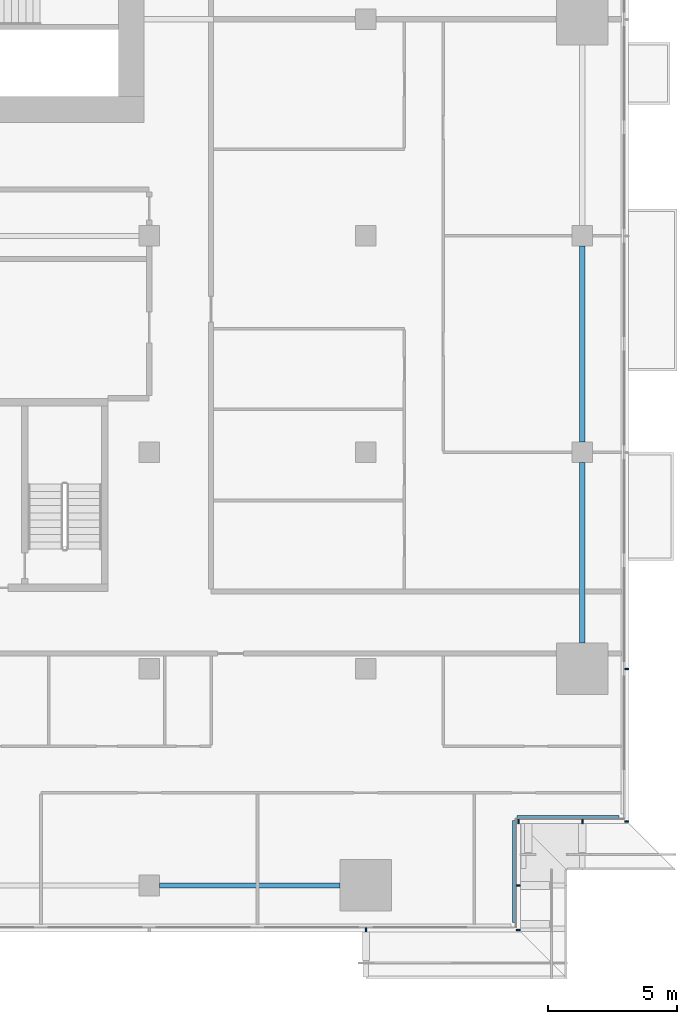
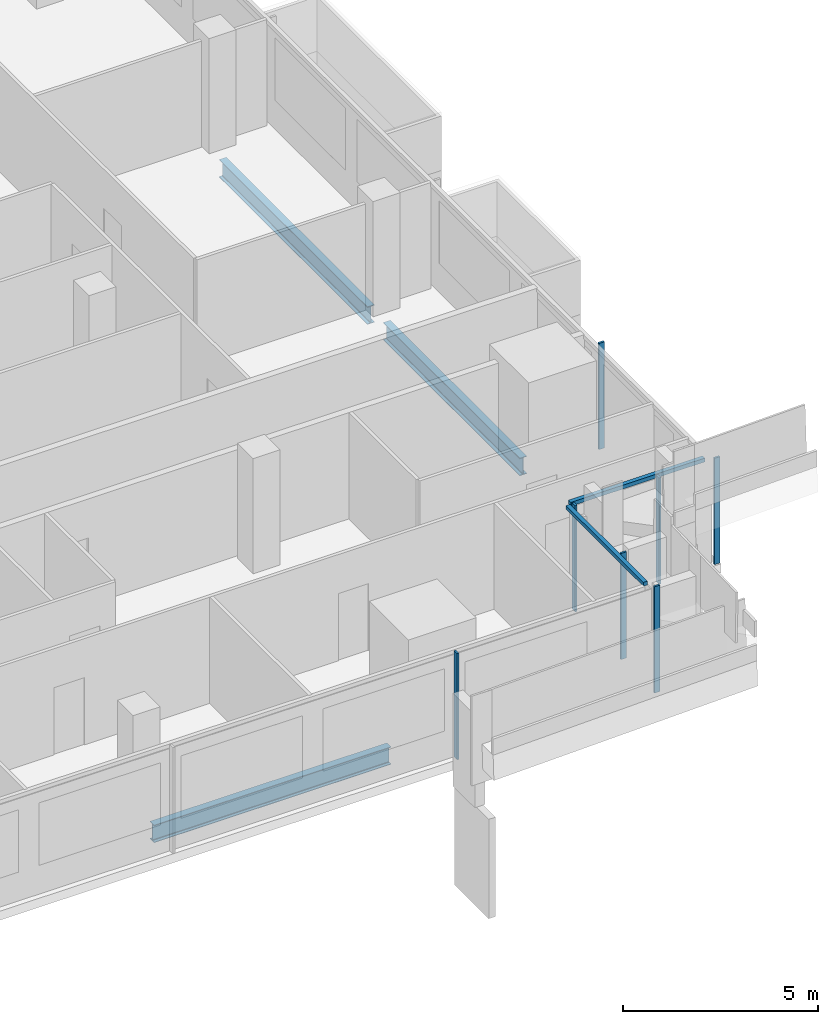
# One storey, part 11 of 29: 9 members, 3 beams, 4 elements without a shape of their own.
"""IFC4 building model written with IfcOpenShell, lengths in metres."""

from ifc_helpers import new_model, si_unit, direction, frame, origin, origin_2d, place, context, subcontext, project, spatial, rectangle, i_section, extrude, material, material_profile, profile_set, type_object, element, aggregate, save


model = new_model("IFC4")

# Units and contexts
model_context = context("Model", 3, precision=1e-05, world=origin(), true_north=direction((0.0, 1.0)))
body_context = subcontext(model_context, "Body", "Model", "MODEL_VIEW")
ifc_project = project(units=[si_unit("LENGTHUNIT", "METRE"), si_unit("AREAUNIT", "SQUARE_METRE"), si_unit("VOLUMEUNIT", "CUBIC_METRE"), si_unit("PLANEANGLEUNIT", "RADIAN"), si_unit("MASSUNIT", "GRAM", prefix="KILO")], contexts=[model_context])

# Site, building, storey
site_placement = place(None, origin())
site = spatial("IfcSite", under=ifc_project, at=site_placement, CompositionType="ELEMENT")
building_placement = place(site_placement, origin())
building = spatial("IfcBuilding", under=site, at=building_placement, Name="Saffron Gate Tower", CompositionType="ELEMENT")
storey_placement = place(building_placement, frame((0.0, 0.0, 106.050048828125)))
storey = spatial("IfcBuildingStorey", under=building, at=storey_placement, Name="L24", CompositionType="ELEMENT", Elevation=106.050048828125)

# Beams
ifc_material_1 = material(Name="Structural steel S355", Category="steel")
ifc_material_profile_1 = material_profile(ifc_material_1, i_section(OverallWidth=0.2099609375, OverallDepth=0.550048828125, WebThickness=0.010986328125, FlangeThickness=0.01708984375, FilletRadius=0.02392578125, at=origin_2d()))
ifc_profile_set_1 = profile_set([ifc_material_profile_1], Name="Structural steel S355")
beam_type = type_object("IfcBeamType", Name="B13 IPE 550", PredefinedType="SPANDREL", material=ifc_profile_set_1)
for number, where, z_axis, x_axis, name in (
    (1, (109.0, 31.800048828125, -0.554931640625), (1.0, 0.0, 0.0), (0.0, 1.0, 0.0), "B13 SPANDREL BEAM"),
    (2, (125.39990234375, 41.199951171875, -0.554931640625), (0.0, 1.0, 0.0), (-1.0, 0.0, 0.0), "B13 SPANDREL BEAM"),
):
    element("IfcBeam", number, at=place(storey_placement, frame(where, z_axis=z_axis, x_axis=x_axis)), inside=storey, type_object=beam_type, Name=name, PredefinedType="SPANDREL", context=body_context, shape_type="SweptSolid", body=[
        extrude(i_section(OverallWidth=0.2099609375, OverallDepth=0.550048828125, WebThickness=0.010986328125, FlangeThickness=0.01708984375, FilletRadius=0.02392578125, at=origin_2d()), origin(), (0.0, 0.0, 1.0), 7.0),
    ])
beam_placement = place(storey_placement, frame((125.39990234375, 49.0, -0.554931640625), z_axis=(0.0, 1.0, 0.0), x_axis=(-1.0, 0.0, 0.0)))
element("IfcBeam", 3, at=beam_placement, inside=storey, type_object=beam_type, Name="B13 SPANDREL BEAM", PredefinedType="SPANDREL", context=body_context, shape_type="SweptSolid", body=[
    extrude(i_section(OverallWidth=0.2099609375, OverallDepth=0.550048828125, WebThickness=0.010986328125, FlangeThickness=0.01708984375, FilletRadius=0.02392578125, at=origin_2d()), origin(), (0.0, 0.0, 1.0), 7.60009765625),
])

# Curtain wall, member
ifc_material_2 = material(Name="Aluminium, bronze anodised", Category="aluminium")
curtain_wall_type_1 = type_object("IfcCurtainWallType", Name="CWS1 curtain wall front facade", PredefinedType="NOTDEFINED", material=ifc_material_2)
curtain_wall_1_placement = place(storey_placement, origin())
curtain_wall_1 = element("IfcCurtainWall", 4, at=curtain_wall_1_placement, inside=storey, type_object=curtain_wall_type_1, Name="CWS1 run 1", PredefinedType="NOTDEFINED")
ifc_material_profile_2 = material_profile(ifc_material_2, rectangle(XDim=0.159912109375, YDim=0.06005859375, at=origin_2d()))
ifc_profile_set_2 = profile_set([ifc_material_profile_2], Name="Aluminium, bronze anodised")
member_type_1 = type_object("IfcMemberType", Name="CWS1 mullion 60x160", PredefinedType="MULLION", material=ifc_profile_set_2)
member_1_placement = place(storey_placement, frame((117.0, 30.080078125, 0.0), z_axis=(0.0, 0.0, 1.0), x_axis=(0.0, 1.0, 0.0)))
member_1 = element("IfcMember", 5, at=member_1_placement, type_object=member_type_1, Name="CWS1 mullion 9", PredefinedType="MULLION", context=body_context, shape_type="SweptSolid", body=[
    extrude(rectangle(XDim=0.159912109375, YDim=0.06005859375, at=origin_2d()), origin(), (0.0, 0.0, 1.0), 3.320068359375),
])
aggregate(curtain_wall_1, [member_1])

# Curtain wall, members
curtain_wall_type_2 = type_object("IfcCurtainWallType", Name="CWS2 curtain wall side facades", PredefinedType="NOTDEFINED", material=ifc_material_2)
curtain_wall_2_placement = place(storey_placement, origin())
curtain_wall_2 = element("IfcCurtainWall", 6, at=curtain_wall_2_placement, inside=storey, type_object=curtain_wall_type_2, Name="CWS2 run 4", PredefinedType="NOTDEFINED")
ifc_material_profile_3 = material_profile(ifc_material_2, rectangle(XDim=0.159912109375, YDim=0.06005859375, at=origin_2d()))
ifc_profile_set_3 = profile_set([ifc_material_profile_3], Name="Aluminium, bronze anodised")
member_type_2 = type_object("IfcMemberType", Name="CWS2 mullion 60x160", PredefinedType="MULLION", material=ifc_profile_set_3)
member_2_placement = place(storey_placement, frame((127.1201171875, 34.280029296875, 0.0), z_axis=(0.0, 0.0, 1.0), x_axis=(-1.0, 0.0, 0.0)))
member_2 = element("IfcMember", 7, at=member_2_placement, type_object=member_type_2, Name="CWS2 mullion 1", PredefinedType="MULLION", context=body_context, shape_type="SweptSolid", body=[
    extrude(rectangle(XDim=0.159912109375, YDim=0.06005859375, at=origin_2d()), origin(), (0.0, 0.0, 1.0), 3.320068359375),
])
member_3_placement = place(storey_placement, frame((127.1201171875, 40.199951171875, 0.0), z_axis=(0.0, 0.0, 1.0), x_axis=(-1.0, 0.0, 0.0)))
member_3 = element("IfcMember", 8, at=member_3_placement, type_object=member_type_2, Name="CWS2 mullion 2", PredefinedType="MULLION", context=body_context, shape_type="SweptSolid", body=[
    extrude(rectangle(XDim=0.159912109375, YDim=0.06005859375, at=origin_2d()), origin(), (0.0, 0.0, 1.0), 3.320068359375),
])
aggregate(curtain_wall_2, [member_2, member_3])

# Curtain wall, member
curtain_wall_type_3 = type_object("IfcCurtainWallType", Name="CWS4 curtain wall corner returns", PredefinedType="NOTDEFINED", material=ifc_material_2)
curtain_wall_3_placement = place(storey_placement, origin())
curtain_wall_3 = element("IfcCurtainWall", 9, at=curtain_wall_3_placement, inside=storey, type_object=curtain_wall_type_3, Name="CWS4 run 2", PredefinedType="NOTDEFINED")
ifc_material_profile_4 = material_profile(ifc_material_2, rectangle(XDim=0.1201171875, YDim=0.1201171875, at=origin_2d()))
ifc_profile_set_4 = profile_set([ifc_material_profile_4], Name="Aluminium, bronze anodised")
member_type_3 = type_object("IfcMemberType", Name="CWS4 head transom", PredefinedType="USERDEFINED", material=ifc_profile_set_4)
member_4_placement = place(storey_placement, frame((122.751953125, 30.367919921875, 3.260009765625), z_axis=(0.0, 1.0, 0.0), x_axis=(-1.0, 0.0, 0.0)))
member_4 = element("IfcMember", 10, at=member_4_placement, type_object=member_type_3, Name="CWS4 head transom", ObjectType="TRANSOM", PredefinedType="USERDEFINED", context=body_context, shape_type="SweptSolid", body=[
    extrude(rectangle(XDim=0.1201171875, YDim=0.1201171875, at=origin_2d()), origin(), (0.0, 0.0, 1.0), 3.9599609375),
])

curtain_wall_4_placement = place(storey_placement, origin())
curtain_wall_4 = element("IfcCurtainWall", 11, at=curtain_wall_4_placement, inside=storey, type_object=curtain_wall_type_3, Name="CWS4 run 3", PredefinedType="NOTDEFINED")
member_5_placement = place(storey_placement, frame((122.8720703125, 34.447998046875, 3.260009765625), z_axis=(1.0, 0.0, 0.0), x_axis=(0.0, 1.0, 0.0)))
member_5 = element("IfcMember", 12, at=member_5_placement, type_object=member_type_3, Name="CWS4 head transom", ObjectType="TRANSOM", PredefinedType="USERDEFINED", context=body_context, shape_type="SweptSolid", body=[
    extrude(rectangle(XDim=0.1201171875, YDim=0.1201171875, at=origin_2d()), origin(), (0.0, 0.0, 1.0), 3.9599609375),
])

# Member
ifc_material_profile_5 = material_profile(ifc_material_2, rectangle(XDim=0.159912109375, YDim=0.06005859375, at=origin_2d()))
ifc_profile_set_5 = profile_set([ifc_material_profile_5], Name="Aluminium, bronze anodised")
member_type_4 = type_object("IfcMemberType", Name="CWS4 mullion 60x160", PredefinedType="MULLION", material=ifc_profile_set_5)
member_6_placement = place(storey_placement, frame((122.919921875, 30.080078125, 0.0), z_axis=(0.0, 0.0, 1.0), x_axis=(-1.0, 0.0, 0.0)))
member_6 = element("IfcMember", 13, at=member_6_placement, type_object=member_type_4, Name="CWS4 mullion 1", PredefinedType="MULLION", context=body_context, shape_type="SweptSolid", body=[
    extrude(rectangle(XDim=0.159912109375, YDim=0.06005859375, at=origin_2d()), origin(), (0.0, 0.0, 1.0), 3.320068359375),
])

member_7_placement = place(storey_placement, frame((122.919921875, 31.800048828125, 0.0), z_axis=(0.0, 0.0, 1.0), x_axis=(-1.0, 0.0, 0.0)))
member_7 = element("IfcMember", 14, at=member_7_placement, type_object=member_type_4, Name="CWS4 mullion 2", PredefinedType="MULLION", context=body_context, shape_type="SweptSolid", body=[
    extrude(rectangle(XDim=0.159912109375, YDim=0.06005859375, at=origin_2d()), origin(), (0.0, 0.0, 1.0), 3.320068359375),
])

aggregate(curtain_wall_3, [member_6, member_7, member_4])

member_8_placement = place(storey_placement, frame((122.919921875, 34.280029296875, 0.0), z_axis=(0.0, 0.0, 1.0), x_axis=(0.0, 1.0, 0.0)))
member_8 = element("IfcMember", 15, at=member_8_placement, type_object=member_type_4, Name="CWS4 mullion 1", PredefinedType="MULLION", context=body_context, shape_type="SweptSolid", body=[
    extrude(rectangle(XDim=0.159912109375, YDim=0.06005859375, at=origin_2d()), origin(), (0.0, 0.0, 1.0), 3.320068359375),
])

member_9_placement = place(storey_placement, frame((125.39990234375, 34.280029296875, 0.0), z_axis=(0.0, 0.0, 1.0), x_axis=(0.0, 1.0, 0.0)))
member_9 = element("IfcMember", 16, at=member_9_placement, type_object=member_type_4, Name="CWS4 mullion 2", PredefinedType="MULLION", context=body_context, shape_type="SweptSolid", body=[
    extrude(rectangle(XDim=0.159912109375, YDim=0.06005859375, at=origin_2d()), origin(), (0.0, 0.0, 1.0), 3.320068359375),
])

aggregate(curtain_wall_4, [member_8, member_9, member_5])

save(model, "model.ifc")
